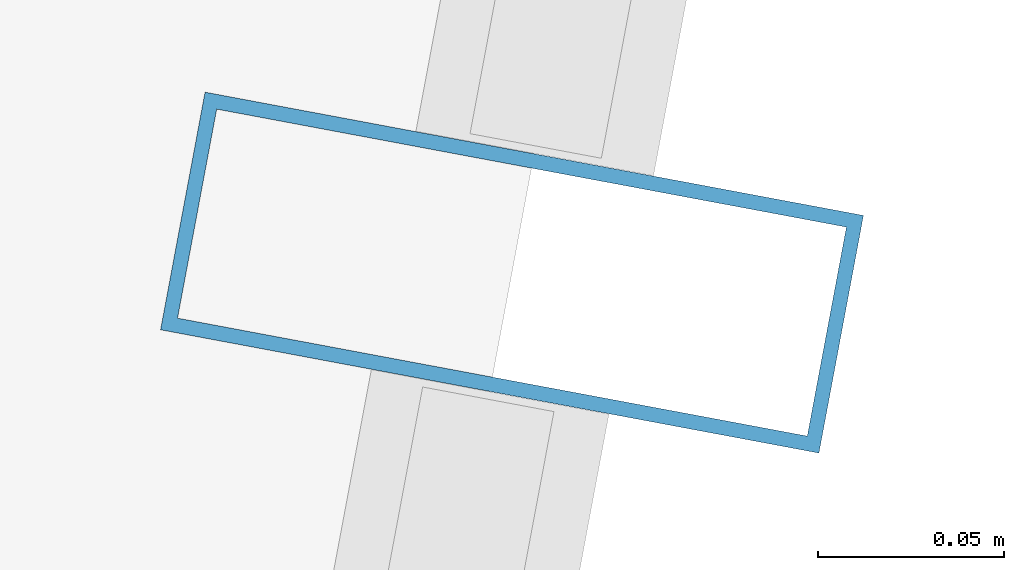
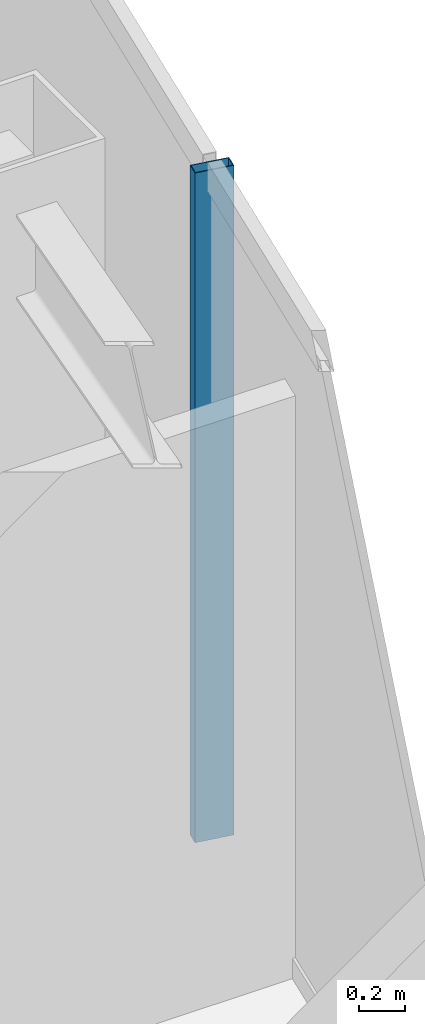
# One storey, part 14 of 23: 1 member, 1 element without a shape of its own.
"""IFC4 building model written with IfcOpenShell, lengths in metres."""

from ifc_helpers import new_model, si_unit, direction, frame, origin, origin_2d, place, context, subcontext, project, spatial, hollow_rectangle, extrude, material, material_profile, profile_set, type_object, element, aggregate, save


model = new_model("IFC4")

# Units and contexts
model_context = context("Model", 3, precision=1e-05, world=origin(), true_north=direction((0.0, 1.0)))
body_context = subcontext(model_context, "Body", "Model", "MODEL_VIEW")
ifc_project = project(units=[si_unit("LENGTHUNIT", "METRE"), si_unit("AREAUNIT", "SQUARE_METRE"), si_unit("VOLUMEUNIT", "CUBIC_METRE"), si_unit("PLANEANGLEUNIT", "RADIAN"), si_unit("MASSUNIT", "GRAM", prefix="KILO")], contexts=[model_context])

# Site, building, storey
site_placement = place(None, origin())
site = spatial("IfcSite", under=ifc_project, at=site_placement, CompositionType="ELEMENT")
building_placement = place(site_placement, origin())
building = spatial("IfcBuilding", under=site, at=building_placement, Name="Saevonmaru Cultural Tower", CompositionType="ELEMENT")
storey_placement = place(building_placement, frame((0.0, 0.0, 280.0)))
storey = spatial("IfcBuildingStorey", under=building, at=storey_placement, Name="L66", CompositionType="ELEMENT", Elevation=280.0)

# Curtain wall, member
ifc_material = material(Name="Satin Bronze Anodised Aluminium", Category="aluminium")
curtain_wall_type = type_object("IfcCurtainWallType", Name="CW-TYP-B", PredefinedType="NOTDEFINED", material=ifc_material)
curtain_wall_placement = place(storey_placement, origin())
curtain_wall = element("IfcCurtainWall", 1, at=curtain_wall_placement, inside=storey, type_object=curtain_wall_type, Name="L66 Unitised Curtain Wall E8", PredefinedType="NOTDEFINED")
ifc_material_profile = material_profile(ifc_material, hollow_rectangle(XDim=0.06494140625, YDim=0.179931640625, WallThickness=0.00390625, at=origin_2d()), Name="ALU-MULL-180x65x4")
ifc_profile_set = profile_set([ifc_material_profile], Name="Satin Bronze Anodised Aluminium")
member_type = type_object("IfcMemberType", Name="ML-CW-180x65", PredefinedType="MULLION", material=ifc_profile_set)
member_placement = place(storey_placement, frame((53.977783203125, 42.0, 0.0), z_axis=(0.0, 0.0, 1.0), x_axis=(0.184046528232, 0.982917532373, 0.0)))
member = element("IfcMember", 2, at=member_placement, type_object=member_type, Name="CW-TW-L66-E8 mullion 2", PredefinedType="MULLION", context=body_context, shape_type="SweptSolid", body=[
    extrude(hollow_rectangle(XDim=0.06494140625, YDim=0.179931640625, WallThickness=0.00390625, at=origin_2d()), origin(), (0.0, 0.0, 1.0), 3.550048828125),
])
aggregate(curtain_wall, [member])

save(model, "model.ifc")
